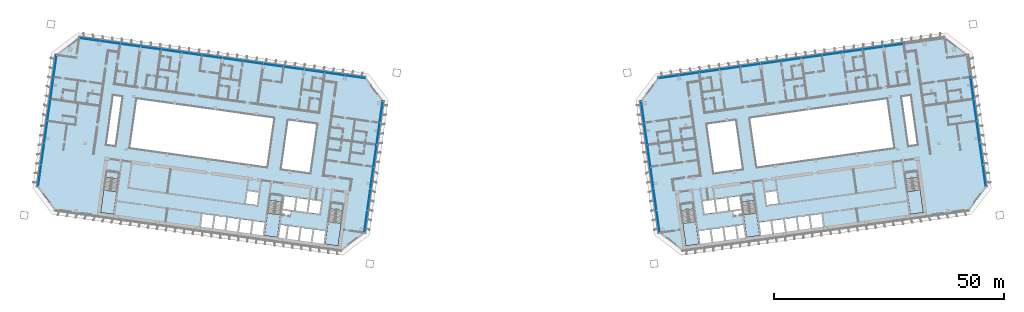
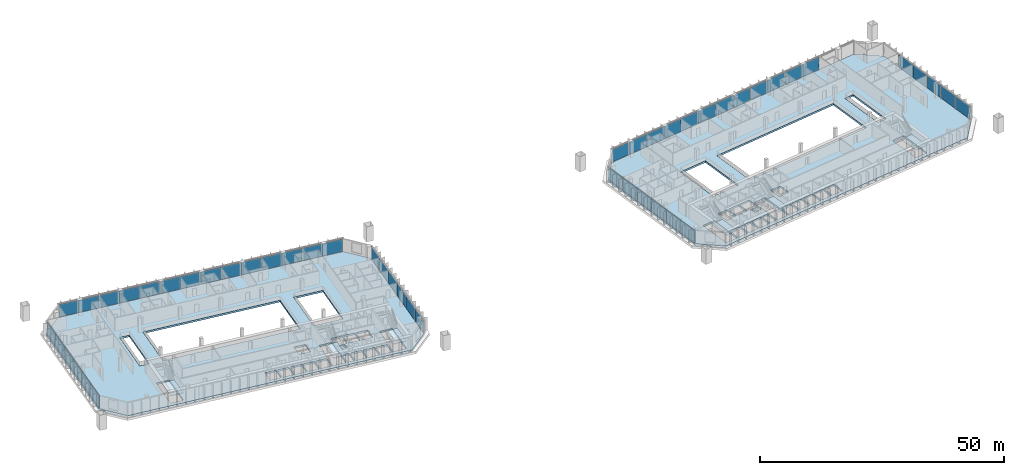
# One storey, part 12 of 27: 49 plates, 8 slabs, 12 elements without a shape of their own.
"""IFC4 building model written with IfcOpenShell, lengths in metres."""

from ifc_helpers import new_model, si_unit, direction, frame, origin, origin_2d, place, context, subcontext, project, spatial, polyline, rectangle, outline, extrude, material, layer, layer_set, type_object, element, aggregate, save


model = new_model("IFC4")

# Units and contexts
model_context = context("Model", 3, precision=1e-05, world=origin(), true_north=direction((0.0, 1.0)))
body_context = subcontext(model_context, "Body", "Model", "MODEL_VIEW")
ifc_project = project(units=[si_unit("LENGTHUNIT", "METRE"), si_unit("AREAUNIT", "SQUARE_METRE"), si_unit("VOLUMEUNIT", "CUBIC_METRE"), si_unit("PLANEANGLEUNIT", "RADIAN"), si_unit("MASSUNIT", "GRAM", prefix="KILO")], contexts=[model_context])

# Site, building, storey
site_placement = place(None, origin())
site = spatial("IfcSite", under=ifc_project, at=site_placement, CompositionType="ELEMENT")
building_placement = place(site_placement, origin())
building = spatial("IfcBuilding", under=site, at=building_placement, Name="Mirante Cascada Hotel Towers", CompositionType="ELEMENT")
storey_placement = place(building_placement, frame((0.0, 0.0, 117.7)))
storey = spatial("IfcBuildingStorey", under=building, at=storey_placement, Name="L26", CompositionType="ELEMENT", Elevation=117.7)

# Curtain wall, plates
ifc_material_1 = material(Name="Aluminium mullion and transom frame with clear laminated glass", Category="aluminium")
curtain_wall_type_1 = type_object("IfcCurtainWallType", Name="Ribbon curtain wall ECW1", PredefinedType="NOTDEFINED", material=ifc_material_1)
curtain_wall_1_placement = place(storey_placement, origin())
curtain_wall_1 = element("IfcCurtainWall", 1, at=curtain_wall_1_placement, inside=storey, type_object=curtain_wall_type_1, Name="Front ribbon wall T1 L26", PredefinedType="NOTDEFINED")
ifc_material_2 = material(Name="Clear laminated glass", Category="glass")
ifc_layer_1 = layer(ifc_material_2, 0.036)
ifc_layer_set_1 = layer_set([ifc_layer_1], Name="ECW1 glass panel 36")
plate_type_1 = type_object("IfcPlateType", Name="ECW1 glass panel 36", PredefinedType="CURTAIN_PANEL", material=ifc_layer_set_1)
plate_1_placement = place(storey_placement, frame((-91.9184, 25.7373, 0.1), z_axis=(0.0, 0.0, 1.0), x_axis=(0.9902681, -0.1391731, 0.0)))
plate_1 = element("IfcPlate", 2, at=plate_1_placement, type_object=plate_type_1, Name="ECW1 panel 1", PredefinedType="CURTAIN_PANEL", context=body_context, shape_type="SweptSolid", body=[
    extrude(rectangle(XDim=4.3936, YDim=0.036, at=origin_2d()), origin(), (0.0, 0.0, 1.0), 3.15),
])
plate_2_placement = place(storey_placement, frame((-87.487, 25.1145, 0.1), z_axis=(0.0, 0.0, 1.0), x_axis=(0.9902681, -0.1391731, 0.0)))
plate_2 = element("IfcPlate", 3, at=plate_2_placement, type_object=plate_type_1, Name="ECW1 panel 2", PredefinedType="CURTAIN_PANEL", context=body_context, shape_type="SweptSolid", body=[
    extrude(rectangle(XDim=4.4261, YDim=0.036, at=origin_2d()), origin(), (0.0, 0.0, 1.0), 3.15),
])
plate_3_placement = place(storey_placement, frame((-83.0396, 24.4895, 0.1), z_axis=(0.0, 0.0, 1.0), x_axis=(0.9902681, -0.1391731, 0.0)))
plate_3 = element("IfcPlate", 4, at=plate_3_placement, type_object=plate_type_1, Name="ECW1 panel 3", PredefinedType="CURTAIN_PANEL", context=body_context, shape_type="SweptSolid", body=[
    extrude(rectangle(XDim=4.4261, YDim=0.036, at=origin_2d()), origin(), (0.0, 0.0, 1.0), 3.15),
])
plate_4_placement = place(storey_placement, frame((-78.5922, 23.8644, 0.1), z_axis=(0.0, 0.0, 1.0), x_axis=(0.9902681, -0.1391731, 0.0)))
plate_4 = element("IfcPlate", 5, at=plate_4_placement, type_object=plate_type_1, Name="ECW1 panel 4", PredefinedType="CURTAIN_PANEL", context=body_context, shape_type="SweptSolid", body=[
    extrude(rectangle(XDim=4.4261, YDim=0.036, at=origin_2d()), origin(), (0.0, 0.0, 1.0), 3.15),
])
plate_5_placement = place(storey_placement, frame((-74.1448, 23.2394, 0.1), z_axis=(0.0, 0.0, 1.0), x_axis=(0.9902681, -0.1391731, 0.0)))
plate_5 = element("IfcPlate", 6, at=plate_5_placement, type_object=plate_type_1, Name="ECW1 panel 5", PredefinedType="CURTAIN_PANEL", context=body_context, shape_type="SweptSolid", body=[
    extrude(rectangle(XDim=4.4261, YDim=0.036, at=origin_2d()), origin(), (0.0, 0.0, 1.0), 3.15),
])
plate_6_placement = place(storey_placement, frame((-69.6974, 22.6144, 0.1), z_axis=(0.0, 0.0, 1.0), x_axis=(0.9902681, -0.1391731, 0.0)))
plate_6 = element("IfcPlate", 7, at=plate_6_placement, type_object=plate_type_1, Name="ECW1 panel 6", PredefinedType="CURTAIN_PANEL", context=body_context, shape_type="SweptSolid", body=[
    extrude(rectangle(XDim=4.4261, YDim=0.036, at=origin_2d()), origin(), (0.0, 0.0, 1.0), 3.15),
])
plate_7_placement = place(storey_placement, frame((-65.2499, 21.9893, 0.1), z_axis=(0.0, 0.0, 1.0), x_axis=(0.9902681, -0.1391731, 0.0)))
plate_7 = element("IfcPlate", 8, at=plate_7_placement, type_object=plate_type_1, Name="ECW1 panel 7", PredefinedType="CURTAIN_PANEL", context=body_context, shape_type="SweptSolid", body=[
    extrude(rectangle(XDim=4.4261, YDim=0.036, at=origin_2d()), origin(), (0.0, 0.0, 1.0), 3.15),
])
plate_8_placement = place(storey_placement, frame((-60.8025, 21.3643, 0.1), z_axis=(0.0, 0.0, 1.0), x_axis=(0.9902681, -0.1391731, 0.0)))
plate_8 = element("IfcPlate", 9, at=plate_8_placement, type_object=plate_type_1, Name="ECW1 panel 8", PredefinedType="CURTAIN_PANEL", context=body_context, shape_type="SweptSolid", body=[
    extrude(rectangle(XDim=4.4261, YDim=0.036, at=origin_2d()), origin(), (0.0, 0.0, 1.0), 3.15),
])
plate_9_placement = place(storey_placement, frame((-56.3551, 20.7392, 0.1), z_axis=(0.0, 0.0, 1.0), x_axis=(0.9902681, -0.1391731, 0.0)))
plate_9 = element("IfcPlate", 10, at=plate_9_placement, type_object=plate_type_1, Name="ECW1 panel 9", PredefinedType="CURTAIN_PANEL", context=body_context, shape_type="SweptSolid", body=[
    extrude(rectangle(XDim=4.4261, YDim=0.036, at=origin_2d()), origin(), (0.0, 0.0, 1.0), 3.15),
])
plate_10_placement = place(storey_placement, frame((-51.9077, 20.1142, 0.1), z_axis=(0.0, 0.0, 1.0), x_axis=(0.9902681, -0.1391731, 0.0)))
plate_10 = element("IfcPlate", 11, at=plate_10_placement, type_object=plate_type_1, Name="ECW1 panel 10", PredefinedType="CURTAIN_PANEL", context=body_context, shape_type="SweptSolid", body=[
    extrude(rectangle(XDim=4.4261, YDim=0.036, at=origin_2d()), origin(), (0.0, 0.0, 1.0), 3.15),
])
plate_11_placement = place(storey_placement, frame((-47.4603, 19.4891, 0.1), z_axis=(0.0, 0.0, 1.0), x_axis=(0.9902681, -0.1391731, 0.0)))
plate_11 = element("IfcPlate", 12, at=plate_11_placement, type_object=plate_type_1, Name="ECW1 panel 11", PredefinedType="CURTAIN_PANEL", context=body_context, shape_type="SweptSolid", body=[
    extrude(rectangle(XDim=4.4261, YDim=0.036, at=origin_2d()), origin(), (0.0, 0.0, 1.0), 3.15),
])
plate_12_placement = place(storey_placement, frame((-43.0129, 18.8641, 0.1), z_axis=(0.0, 0.0, 1.0), x_axis=(0.9902681, -0.1391731, 0.0)))
plate_12 = element("IfcPlate", 13, at=plate_12_placement, type_object=plate_type_1, Name="ECW1 panel 12", PredefinedType="CURTAIN_PANEL", context=body_context, shape_type="SweptSolid", body=[
    extrude(rectangle(XDim=4.4261, YDim=0.036, at=origin_2d()), origin(), (0.0, 0.0, 1.0), 3.15),
])
plate_13_placement = place(storey_placement, frame((-38.5654, 18.239, 0.1), z_axis=(0.0, 0.0, 1.0), x_axis=(0.9902681, -0.1391731, 0.0)))
plate_13 = element("IfcPlate", 14, at=plate_13_placement, type_object=plate_type_1, Name="ECW1 panel 13", PredefinedType="CURTAIN_PANEL", context=body_context, shape_type="SweptSolid", body=[
    extrude(rectangle(XDim=4.4261, YDim=0.036, at=origin_2d()), origin(), (0.0, 0.0, 1.0), 3.15),
])
plate_14_placement = place(storey_placement, frame((-34.1341, 17.6163, 0.1), z_axis=(0.0, 0.0, 1.0), x_axis=(0.9902681, -0.1391731, 0.0)))
plate_14 = element("IfcPlate", 15, at=plate_14_placement, type_object=plate_type_1, Name="ECW1 panel 14", PredefinedType="CURTAIN_PANEL", context=body_context, shape_type="SweptSolid", body=[
    extrude(rectangle(XDim=4.3936, YDim=0.036, at=origin_2d()), origin(), (0.0, 0.0, 1.0), 3.15),
])
aggregate(curtain_wall_1, [plate_1, plate_2, plate_3, plate_4, plate_5, plate_6, plate_7, plate_8, plate_9, plate_10, plate_11, plate_12, plate_13, plate_14])

curtain_wall_2_placement = place(storey_placement, origin())
curtain_wall_2 = element("IfcCurtainWall", 16, at=curtain_wall_2_placement, inside=storey, type_object=curtain_wall_type_1, Name="Front ribbon wall T2 L26", PredefinedType="NOTDEFINED")
plate_15_placement = place(storey_placement, frame((83.0396, 24.4895, 0.1), z_axis=(0.0, 0.0, 1.0), x_axis=(-0.9902681, -0.1391731, 0.0)))
plate_15 = element("IfcPlate", 17, at=plate_15_placement, type_object=plate_type_1, Name="ECW1 panel 3", PredefinedType="CURTAIN_PANEL", context=body_context, shape_type="SweptSolid", body=[
    extrude(rectangle(XDim=4.4261, YDim=0.036, at=origin_2d()), origin(), (0.0, 0.0, 1.0), 3.15),
])
plate_16_placement = place(storey_placement, frame((78.5922, 23.8644, 0.1), z_axis=(0.0, 0.0, 1.0), x_axis=(-0.9902681, -0.1391731, 0.0)))
plate_16 = element("IfcPlate", 18, at=plate_16_placement, type_object=plate_type_1, Name="ECW1 panel 4", PredefinedType="CURTAIN_PANEL", context=body_context, shape_type="SweptSolid", body=[
    extrude(rectangle(XDim=4.4261, YDim=0.036, at=origin_2d()), origin(), (0.0, 0.0, 1.0), 3.15),
])
plate_17_placement = place(storey_placement, frame((74.1448, 23.2394, 0.1), z_axis=(0.0, 0.0, 1.0), x_axis=(-0.9902681, -0.1391731, 0.0)))
plate_17 = element("IfcPlate", 19, at=plate_17_placement, type_object=plate_type_1, Name="ECW1 panel 5", PredefinedType="CURTAIN_PANEL", context=body_context, shape_type="SweptSolid", body=[
    extrude(rectangle(XDim=4.4261, YDim=0.036, at=origin_2d()), origin(), (0.0, 0.0, 1.0), 3.15),
])
plate_18_placement = place(storey_placement, frame((69.6974, 22.6144, 0.1), z_axis=(0.0, 0.0, 1.0), x_axis=(-0.9902681, -0.1391731, 0.0)))
plate_18 = element("IfcPlate", 20, at=plate_18_placement, type_object=plate_type_1, Name="ECW1 panel 6", PredefinedType="CURTAIN_PANEL", context=body_context, shape_type="SweptSolid", body=[
    extrude(rectangle(XDim=4.4261, YDim=0.036, at=origin_2d()), origin(), (0.0, 0.0, 1.0), 3.15),
])
plate_19_placement = place(storey_placement, frame((65.2499, 21.9893, 0.1), z_axis=(0.0, 0.0, 1.0), x_axis=(-0.9902681, -0.1391731, 0.0)))
plate_19 = element("IfcPlate", 21, at=plate_19_placement, type_object=plate_type_1, Name="ECW1 panel 7", PredefinedType="CURTAIN_PANEL", context=body_context, shape_type="SweptSolid", body=[
    extrude(rectangle(XDim=4.4261, YDim=0.036, at=origin_2d()), origin(), (0.0, 0.0, 1.0), 3.15),
])
plate_20_placement = place(storey_placement, frame((60.8025, 21.3643, 0.1), z_axis=(0.0, 0.0, 1.0), x_axis=(-0.9902681, -0.1391731, 0.0)))
plate_20 = element("IfcPlate", 22, at=plate_20_placement, type_object=plate_type_1, Name="ECW1 panel 8", PredefinedType="CURTAIN_PANEL", context=body_context, shape_type="SweptSolid", body=[
    extrude(rectangle(XDim=4.4261, YDim=0.036, at=origin_2d()), origin(), (0.0, 0.0, 1.0), 3.15),
])
plate_21_placement = place(storey_placement, frame((56.3551, 20.7392, 0.1), z_axis=(0.0, 0.0, 1.0), x_axis=(-0.9902681, -0.1391731, 0.0)))
plate_21 = element("IfcPlate", 23, at=plate_21_placement, type_object=plate_type_1, Name="ECW1 panel 9", PredefinedType="CURTAIN_PANEL", context=body_context, shape_type="SweptSolid", body=[
    extrude(rectangle(XDim=4.4261, YDim=0.036, at=origin_2d()), origin(), (0.0, 0.0, 1.0), 3.15),
])
plate_22_placement = place(storey_placement, frame((51.9077, 20.1142, 0.1), z_axis=(0.0, 0.0, 1.0), x_axis=(-0.9902681, -0.1391731, 0.0)))
plate_22 = element("IfcPlate", 24, at=plate_22_placement, type_object=plate_type_1, Name="ECW1 panel 10", PredefinedType="CURTAIN_PANEL", context=body_context, shape_type="SweptSolid", body=[
    extrude(rectangle(XDim=4.4261, YDim=0.036, at=origin_2d()), origin(), (0.0, 0.0, 1.0), 3.15),
])
plate_23_placement = place(storey_placement, frame((47.4603, 19.4891, 0.1), z_axis=(0.0, 0.0, 1.0), x_axis=(-0.9902681, -0.1391731, 0.0)))
plate_23 = element("IfcPlate", 25, at=plate_23_placement, type_object=plate_type_1, Name="ECW1 panel 11", PredefinedType="CURTAIN_PANEL", context=body_context, shape_type="SweptSolid", body=[
    extrude(rectangle(XDim=4.4261, YDim=0.036, at=origin_2d()), origin(), (0.0, 0.0, 1.0), 3.15),
])
plate_24_placement = place(storey_placement, frame((43.0129, 18.8641, 0.1), z_axis=(0.0, 0.0, 1.0), x_axis=(-0.9902681, -0.1391731, 0.0)))
plate_24 = element("IfcPlate", 26, at=plate_24_placement, type_object=plate_type_1, Name="ECW1 panel 12", PredefinedType="CURTAIN_PANEL", context=body_context, shape_type="SweptSolid", body=[
    extrude(rectangle(XDim=4.4261, YDim=0.036, at=origin_2d()), origin(), (0.0, 0.0, 1.0), 3.15),
])
plate_25_placement = place(storey_placement, frame((38.5654, 18.239, 0.1), z_axis=(0.0, 0.0, 1.0), x_axis=(-0.9902681, -0.1391731, 0.0)))
plate_25 = element("IfcPlate", 27, at=plate_25_placement, type_object=plate_type_1, Name="ECW1 panel 13", PredefinedType="CURTAIN_PANEL", context=body_context, shape_type="SweptSolid", body=[
    extrude(rectangle(XDim=4.4261, YDim=0.036, at=origin_2d()), origin(), (0.0, 0.0, 1.0), 3.15),
])
plate_26_placement = place(storey_placement, frame((34.1341, 17.6163, 0.1), z_axis=(0.0, 0.0, 1.0), x_axis=(-0.9902681, -0.1391731, 0.0)))
plate_26 = element("IfcPlate", 28, at=plate_26_placement, type_object=plate_type_1, Name="ECW1 panel 14", PredefinedType="CURTAIN_PANEL", context=body_context, shape_type="SweptSolid", body=[
    extrude(rectangle(XDim=4.3936, YDim=0.036, at=origin_2d()), origin(), (0.0, 0.0, 1.0), 3.15),
])
aggregate(curtain_wall_2, [plate_15, plate_16, plate_17, plate_18, plate_19, plate_20, plate_21, plate_22, plate_23, plate_24, plate_25, plate_26])

ifc_material_3 = material(Name="Aluminium mullion and transom frame with clear laminated glass", Category="aluminium")
curtain_wall_type_2 = type_object("IfcCurtainWallType", Name="End ribbon curtain wall ECW2", PredefinedType="NOTDEFINED", material=ifc_material_3)
curtain_wall_3_placement = place(storey_placement, origin())
curtain_wall_3 = element("IfcCurtainWall", 29, at=curtain_wall_3_placement, inside=storey, type_object=curtain_wall_type_2, Name="Inner end wall T1 L26", PredefinedType="NOTDEFINED")
ifc_material_4 = material(Name="Clear laminated glass", Category="glass")
ifc_layer_2 = layer(ifc_material_4, 0.034)
ifc_layer_set_2 = layer_set([ifc_layer_2], Name="ECW2 glass panel 34")
plate_type_2 = type_object("IfcPlateType", Name="ECW2 glass panel 34", PredefinedType="CURTAIN_PANEL", material=ifc_layer_set_2)
plate_27_placement = place(storey_placement, frame((-28.4763, 9.9193, 0.1), z_axis=(0.0, 0.0, 1.0), x_axis=(-0.1391731, -0.9902681, 0.0)))
plate_27 = element("IfcPlate", 30, at=plate_27_placement, type_object=plate_type_2, Name="ECW2 panel 1", PredefinedType="CURTAIN_PANEL", context=body_context, shape_type="SweptSolid", body=[
    extrude(rectangle(XDim=4.7151, YDim=0.034, at=origin_2d()), origin(), (0.0, 0.0, 1.0), 3.15),
])
plate_28_placement = place(storey_placement, frame((-29.1439, 5.1696, 0.1), z_axis=(0.0, 0.0, 1.0), x_axis=(-0.1391731, -0.9902681, 0.0)))
plate_28 = element("IfcPlate", 31, at=plate_28_placement, type_object=plate_type_2, Name="ECW2 panel 2", PredefinedType="CURTAIN_PANEL", context=body_context, shape_type="SweptSolid", body=[
    extrude(rectangle(XDim=4.7476, YDim=0.034, at=origin_2d()), origin(), (0.0, 0.0, 1.0), 3.15),
])
plate_29_placement = place(storey_placement, frame((-29.8136, 0.4038, 0.1), z_axis=(0.0, 0.0, 1.0), x_axis=(-0.1391731, -0.9902681, 0.0)))
plate_29 = element("IfcPlate", 32, at=plate_29_placement, type_object=plate_type_2, Name="ECW2 panel 3", PredefinedType="CURTAIN_PANEL", context=body_context, shape_type="SweptSolid", body=[
    extrude(rectangle(XDim=4.7476, YDim=0.034, at=origin_2d()), origin(), (0.0, 0.0, 1.0), 3.15),
])
plate_30_placement = place(storey_placement, frame((-30.4834, -4.362, 0.1), z_axis=(0.0, 0.0, 1.0), x_axis=(-0.1391731, -0.9902681, 0.0)))
plate_30 = element("IfcPlate", 33, at=plate_30_placement, type_object=plate_type_2, Name="ECW2 panel 4", PredefinedType="CURTAIN_PANEL", context=body_context, shape_type="SweptSolid", body=[
    extrude(rectangle(XDim=4.7476, YDim=0.034, at=origin_2d()), origin(), (0.0, 0.0, 1.0), 3.15),
])
plate_31_placement = place(storey_placement, frame((-31.1532, -9.1278, 0.1), z_axis=(0.0, 0.0, 1.0), x_axis=(-0.1391731, -0.9902681, 0.0)))
plate_31 = element("IfcPlate", 34, at=plate_31_placement, type_object=plate_type_2, Name="ECW2 panel 5", PredefinedType="CURTAIN_PANEL", context=body_context, shape_type="SweptSolid", body=[
    extrude(rectangle(XDim=4.7476, YDim=0.034, at=origin_2d()), origin(), (0.0, 0.0, 1.0), 3.15),
])
plate_32_placement = place(storey_placement, frame((-31.8207, -13.8775, 0.1), z_axis=(0.0, 0.0, 1.0), x_axis=(-0.1391731, -0.9902681, 0.0)))
plate_32 = element("IfcPlate", 35, at=plate_32_placement, type_object=plate_type_2, Name="ECW2 panel 6", PredefinedType="CURTAIN_PANEL", context=body_context, shape_type="SweptSolid", body=[
    extrude(rectangle(XDim=4.7151, YDim=0.034, at=origin_2d()), origin(), (0.0, 0.0, 1.0), 3.15),
])
aggregate(curtain_wall_3, [plate_27, plate_28, plate_29, plate_30, plate_31, plate_32])

curtain_wall_4_placement = place(storey_placement, origin())
curtain_wall_4 = element("IfcCurtainWall", 36, at=curtain_wall_4_placement, inside=storey, type_object=curtain_wall_type_2, Name="Outer end wall T1 L26", PredefinedType="NOTDEFINED")
plate_33_placement = place(storey_placement, frame((-102.1554, 0.8509, 0.1), z_axis=(0.0, 0.0, 1.0), x_axis=(0.1391731, 0.9902681, 0.0)))
plate_33 = element("IfcPlate", 37, at=plate_33_placement, type_object=plate_type_2, Name="ECW2 panel 2", PredefinedType="CURTAIN_PANEL", context=body_context, shape_type="SweptSolid", body=[
    extrude(rectangle(XDim=4.7476, YDim=0.034, at=origin_2d()), origin(), (0.0, 0.0, 1.0), 3.15),
])
plate_34_placement = place(storey_placement, frame((-101.4857, 5.6167, 0.1), z_axis=(0.0, 0.0, 1.0), x_axis=(0.1391731, 0.9902681, 0.0)))
plate_34 = element("IfcPlate", 38, at=plate_34_placement, type_object=plate_type_2, Name="ECW2 panel 3", PredefinedType="CURTAIN_PANEL", context=body_context, shape_type="SweptSolid", body=[
    extrude(rectangle(XDim=4.7476, YDim=0.034, at=origin_2d()), origin(), (0.0, 0.0, 1.0), 3.15),
])
plate_35_placement = place(storey_placement, frame((-100.8159, 10.3825, 0.1), z_axis=(0.0, 0.0, 1.0), x_axis=(0.1391731, 0.9902681, 0.0)))
plate_35 = element("IfcPlate", 39, at=plate_35_placement, type_object=plate_type_2, Name="ECW2 panel 4", PredefinedType="CURTAIN_PANEL", context=body_context, shape_type="SweptSolid", body=[
    extrude(rectangle(XDim=4.7476, YDim=0.034, at=origin_2d()), origin(), (0.0, 0.0, 1.0), 3.15),
])
plate_36_placement = place(storey_placement, frame((-100.1461, 15.1483, 0.1), z_axis=(0.0, 0.0, 1.0), x_axis=(0.1391731, 0.9902681, 0.0)))
plate_36 = element("IfcPlate", 40, at=plate_36_placement, type_object=plate_type_2, Name="ECW2 panel 5", PredefinedType="CURTAIN_PANEL", context=body_context, shape_type="SweptSolid", body=[
    extrude(rectangle(XDim=4.7476, YDim=0.034, at=origin_2d()), origin(), (0.0, 0.0, 1.0), 3.15),
])

curtain_wall_5_placement = place(storey_placement, origin())
curtain_wall_5 = element("IfcCurtainWall", 41, at=curtain_wall_5_placement, inside=storey, type_object=curtain_wall_type_2, Name="Inner end wall T2 L26", PredefinedType="NOTDEFINED")
plate_37_placement = place(storey_placement, frame((28.4763, 9.9193, 0.1), z_axis=(0.0, 0.0, 1.0), x_axis=(0.1391731, -0.9902681, 0.0)))
plate_37 = element("IfcPlate", 42, at=plate_37_placement, type_object=plate_type_2, Name="ECW2 panel 1", PredefinedType="CURTAIN_PANEL", context=body_context, shape_type="SweptSolid", body=[
    extrude(rectangle(XDim=4.7151, YDim=0.034, at=origin_2d()), origin(), (0.0, 0.0, 1.0), 3.15),
])
plate_38_placement = place(storey_placement, frame((29.1439, 5.1696, 0.1), z_axis=(0.0, 0.0, 1.0), x_axis=(0.1391731, -0.9902681, 0.0)))
plate_38 = element("IfcPlate", 43, at=plate_38_placement, type_object=plate_type_2, Name="ECW2 panel 2", PredefinedType="CURTAIN_PANEL", context=body_context, shape_type="SweptSolid", body=[
    extrude(rectangle(XDim=4.7476, YDim=0.034, at=origin_2d()), origin(), (0.0, 0.0, 1.0), 3.15),
])
plate_39_placement = place(storey_placement, frame((29.8136, 0.4038, 0.1), z_axis=(0.0, 0.0, 1.0), x_axis=(0.1391731, -0.9902681, 0.0)))
plate_39 = element("IfcPlate", 44, at=plate_39_placement, type_object=plate_type_2, Name="ECW2 panel 3", PredefinedType="CURTAIN_PANEL", context=body_context, shape_type="SweptSolid", body=[
    extrude(rectangle(XDim=4.7476, YDim=0.034, at=origin_2d()), origin(), (0.0, 0.0, 1.0), 3.15),
])
plate_40_placement = place(storey_placement, frame((30.4834, -4.362, 0.1), z_axis=(0.0, 0.0, 1.0), x_axis=(0.1391731, -0.9902681, 0.0)))
plate_40 = element("IfcPlate", 45, at=plate_40_placement, type_object=plate_type_2, Name="ECW2 panel 4", PredefinedType="CURTAIN_PANEL", context=body_context, shape_type="SweptSolid", body=[
    extrude(rectangle(XDim=4.7476, YDim=0.034, at=origin_2d()), origin(), (0.0, 0.0, 1.0), 3.15),
])
plate_41_placement = place(storey_placement, frame((31.1532, -9.1278, 0.1), z_axis=(0.0, 0.0, 1.0), x_axis=(0.1391731, -0.9902681, 0.0)))
plate_41 = element("IfcPlate", 46, at=plate_41_placement, type_object=plate_type_2, Name="ECW2 panel 5", PredefinedType="CURTAIN_PANEL", context=body_context, shape_type="SweptSolid", body=[
    extrude(rectangle(XDim=4.7476, YDim=0.034, at=origin_2d()), origin(), (0.0, 0.0, 1.0), 3.15),
])
plate_42_placement = place(storey_placement, frame((31.8207, -13.8775, 0.1), z_axis=(0.0, 0.0, 1.0), x_axis=(0.1391731, -0.9902681, 0.0)))
plate_42 = element("IfcPlate", 47, at=plate_42_placement, type_object=plate_type_2, Name="ECW2 panel 6", PredefinedType="CURTAIN_PANEL", context=body_context, shape_type="SweptSolid", body=[
    extrude(rectangle(XDim=4.7151, YDim=0.034, at=origin_2d()), origin(), (0.0, 0.0, 1.0), 3.15),
])
aggregate(curtain_wall_5, [plate_37, plate_38, plate_39, plate_40, plate_41, plate_42])

curtain_wall_6_placement = place(storey_placement, origin())
curtain_wall_6 = element("IfcCurtainWall", 48, at=curtain_wall_6_placement, inside=storey, type_object=curtain_wall_type_2, Name="Outer end wall T2 L26", PredefinedType="NOTDEFINED")
plate_43_placement = place(storey_placement, frame((102.1554, 0.8509, 0.1), z_axis=(0.0, 0.0, 1.0), x_axis=(-0.1391731, 0.9902681, 0.0)))
plate_43 = element("IfcPlate", 49, at=plate_43_placement, type_object=plate_type_2, Name="ECW2 panel 2", PredefinedType="CURTAIN_PANEL", context=body_context, shape_type="SweptSolid", body=[
    extrude(rectangle(XDim=4.7476, YDim=0.034, at=origin_2d()), origin(), (0.0, 0.0, 1.0), 3.15),
])
plate_44_placement = place(storey_placement, frame((101.4857, 5.6167, 0.1), z_axis=(0.0, 0.0, 1.0), x_axis=(-0.1391731, 0.9902681, 0.0)))
plate_44 = element("IfcPlate", 50, at=plate_44_placement, type_object=plate_type_2, Name="ECW2 panel 3", PredefinedType="CURTAIN_PANEL", context=body_context, shape_type="SweptSolid", body=[
    extrude(rectangle(XDim=4.7476, YDim=0.034, at=origin_2d()), origin(), (0.0, 0.0, 1.0), 3.15),
])
plate_45_placement = place(storey_placement, frame((100.8159, 10.3825, 0.1), z_axis=(0.0, 0.0, 1.0), x_axis=(-0.1391731, 0.9902681, 0.0)))
plate_45 = element("IfcPlate", 51, at=plate_45_placement, type_object=plate_type_2, Name="ECW2 panel 4", PredefinedType="CURTAIN_PANEL", context=body_context, shape_type="SweptSolid", body=[
    extrude(rectangle(XDim=4.7476, YDim=0.034, at=origin_2d()), origin(), (0.0, 0.0, 1.0), 3.15),
])
plate_46_placement = place(storey_placement, frame((100.1461, 15.1483, 0.1), z_axis=(0.0, 0.0, 1.0), x_axis=(-0.1391731, 0.9902681, 0.0)))
plate_46 = element("IfcPlate", 52, at=plate_46_placement, type_object=plate_type_2, Name="ECW2 panel 5", PredefinedType="CURTAIN_PANEL", context=body_context, shape_type="SweptSolid", body=[
    extrude(rectangle(XDim=4.7476, YDim=0.034, at=origin_2d()), origin(), (0.0, 0.0, 1.0), 3.15),
])

# Plate
ifc_material_5 = material(Name="Insulated aluminium spandrel panel", Category="aluminium")
ifc_layer_3 = layer(ifc_material_5, 0.034)
ifc_layer_set_3 = layer_set([ifc_layer_3], Name="ECW2 spandrel panel 34")
plate_type_3 = type_object("IfcPlateType", Name="ECW2 spandrel panel 34", PredefinedType="CURTAIN_PANEL", material=ifc_layer_set_3)
plate_47_placement = place(storey_placement, frame((-102.823, -3.8988, 0.1), z_axis=(0.0, 0.0, 1.0), x_axis=(0.1391731, 0.9902681, 0.0)))
plate_47 = element("IfcPlate", 53, at=plate_47_placement, type_object=plate_type_3, Name="ECW2 panel 1", PredefinedType="CURTAIN_PANEL", context=body_context, shape_type="SweptSolid", body=[
    extrude(rectangle(XDim=4.7151, YDim=0.034, at=origin_2d()), origin(), (0.0, 0.0, 1.0), 3.15),
])

plate_48_placement = place(storey_placement, frame((-99.4786, 19.898, 0.1), z_axis=(0.0, 0.0, 1.0), x_axis=(0.1391731, 0.9902681, 0.0)))
plate_48 = element("IfcPlate", 54, at=plate_48_placement, type_object=plate_type_3, Name="ECW2 panel 6", PredefinedType="CURTAIN_PANEL", context=body_context, shape_type="SweptSolid", body=[
    extrude(rectangle(XDim=4.7151, YDim=0.034, at=origin_2d()), origin(), (0.0, 0.0, 1.0), 3.15),
])

aggregate(curtain_wall_4, [plate_47, plate_33, plate_34, plate_35, plate_36, plate_48])

plate_49_placement = place(storey_placement, frame((102.823, -3.8988, 0.1), z_axis=(0.0, 0.0, 1.0), x_axis=(-0.1391731, 0.9902681, 0.0)))
plate_49 = element("IfcPlate", 55, at=plate_49_placement, type_object=plate_type_3, Name="ECW2 panel 1", PredefinedType="CURTAIN_PANEL", context=body_context, shape_type="SweptSolid", body=[
    extrude(rectangle(XDim=4.7151, YDim=0.034, at=origin_2d()), origin(), (0.0, 0.0, 1.0), 3.15),
])

aggregate(curtain_wall_6, [plate_49, plate_43, plate_44, plate_45, plate_46])

# Stair, slab
ifc_material_6 = material(Name="Concrete C35/45", Category="concrete")
stair_type = type_object("IfcStairType", Name="Exit stair half-turn 1350 concrete C35/45", PredefinedType="HALF_TURN_STAIR", material=ifc_material_6)
stair_1_placement = place(storey_placement, origin())
stair_1 = element("IfcStair", 56, at=stair_1_placement, inside=storey, type_object=stair_type, Name="L26 Exit stair A", PredefinedType="HALF_TURN_STAIR")
ifc_material_7 = material(Name="Concrete C35/45", Category="concrete")
ifc_layer_4 = layer(ifc_material_7, 0.2)
ifc_layer_set_4 = layer_set([ifc_layer_4], Name="Exit stair landing 200 concrete C35/45")
slab_type_1 = type_object("IfcSlabType", Name="Exit stair landing 200 concrete C35/45", PredefinedType="LANDING", material=ifc_layer_set_4)
slab_1_placement = place(storey_placement, frame((0.0, 0.0, 1.7)))
slab_1 = element("IfcSlab", 57, at=slab_1_placement, type_object=slab_type_1, Name="ST1-A landing 1", PredefinedType="LANDING", context=body_context, shape_type="SweptSolid", body=[
    extrude(outline(polyline([(-39.9987, -13.8659), (-40.6887, -18.7757), (-37.8665, -19.1723), (-37.1765, -14.2626), (-39.9987, -13.8659)])), origin(), (0.0, 0.0, 1.0), 0.2),
])
aggregate(stair_1, [slab_1])

stair_2_placement = place(storey_placement, origin())
stair_2 = element("IfcStair", 58, at=stair_2_placement, inside=storey, type_object=stair_type, Name="L26 Exit stair B", PredefinedType="HALF_TURN_STAIR")
slab_2_placement = place(storey_placement, frame((0.0, 0.0, 1.7)))
slab_2 = element("IfcSlab", 59, at=slab_2_placement, type_object=slab_type_1, Name="ST1-B landing 1", PredefinedType="LANDING", context=body_context, shape_type="SweptSolid", body=[
    extrude(outline(polyline([(-53.2188, -12.008), (-53.9088, -16.9177), (-51.0866, -17.3144), (-50.3965, -12.4046), (-53.2188, -12.008)])), origin(), (0.0, 0.0, 1.0), 0.2),
])
aggregate(stair_2, [slab_2])

stair_3_placement = place(storey_placement, origin())
stair_3 = element("IfcStair", 60, at=stair_3_placement, inside=storey, type_object=stair_type, Name="L26 Exit stair C", PredefinedType="HALF_TURN_STAIR")
slab_3_placement = place(storey_placement, frame((0.0, 0.0, 1.7)))
slab_3 = element("IfcSlab", 61, at=slab_3_placement, type_object=slab_type_1, Name="ST1-C landing 1", PredefinedType="LANDING", context=body_context, shape_type="SweptSolid", body=[
    extrude(outline(polyline([(-88.8685, -6.9977), (-89.5585, -11.9075), (-86.7362, -12.3041), (-86.0462, -7.3944), (-88.8685, -6.9977)])), origin(), (0.0, 0.0, 1.0), 0.2),
])
aggregate(stair_3, [slab_3])

stair_4_placement = place(storey_placement, origin())
stair_4 = element("IfcStair", 62, at=stair_4_placement, inside=storey, type_object=stair_type, Name="L26 Exit stair A", PredefinedType="HALF_TURN_STAIR")
slab_4_placement = place(storey_placement, frame((0.0, 0.0, 1.7)))
slab_4 = element("IfcSlab", 63, at=slab_4_placement, type_object=slab_type_1, Name="ST2-A landing 1", PredefinedType="LANDING", context=body_context, shape_type="SweptSolid", body=[
    extrude(outline(polyline([(37.1765, -14.2626), (37.8665, -19.1723), (40.6887, -18.7757), (39.9987, -13.8659), (37.1765, -14.2626)])), origin(), (0.0, 0.0, 1.0), 0.2),
])
aggregate(stair_4, [slab_4])

stair_5_placement = place(storey_placement, origin())
stair_5 = element("IfcStair", 64, at=stair_5_placement, inside=storey, type_object=stair_type, Name="L26 Exit stair B", PredefinedType="HALF_TURN_STAIR")
slab_5_placement = place(storey_placement, frame((0.0, 0.0, 1.7)))
slab_5 = element("IfcSlab", 65, at=slab_5_placement, type_object=slab_type_1, Name="ST2-B landing 1", PredefinedType="LANDING", context=body_context, shape_type="SweptSolid", body=[
    extrude(outline(polyline([(50.3965, -12.4046), (51.0866, -17.3144), (53.9088, -16.9177), (53.2188, -12.008), (50.3965, -12.4046)])), origin(), (0.0, 0.0, 1.0), 0.2),
])
aggregate(stair_5, [slab_5])

stair_6_placement = place(storey_placement, origin())
stair_6 = element("IfcStair", 66, at=stair_6_placement, inside=storey, type_object=stair_type, Name="L26 Exit stair C", PredefinedType="HALF_TURN_STAIR")
slab_6_placement = place(storey_placement, frame((0.0, 0.0, 1.7)))
slab_6 = element("IfcSlab", 67, at=slab_6_placement, type_object=slab_type_1, Name="ST2-C landing 1", PredefinedType="LANDING", context=body_context, shape_type="SweptSolid", body=[
    extrude(outline(polyline([(86.0462, -7.3944), (86.7362, -12.3041), (89.5585, -11.9075), (88.8685, -6.9977), (86.0462, -7.3944)])), origin(), (0.0, 0.0, 1.0), 0.2),
])
aggregate(stair_6, [slab_6])

# Slabs
ifc_material_8 = material(Name="Concrete C40/50", Category="concrete")
ifc_layer_5 = layer(ifc_material_8, 0.45)
ifc_layer_set_5 = layer_set([ifc_layer_5], Name="Post-tensioned flat plate 450 Concrete C40/50")
slab_type_2 = type_object("IfcSlabType", Name="Post-tensioned flat plate 450 Concrete C40/50", PredefinedType="FLOOR", material=ifc_layer_set_5)
slab_7_placement = place(storey_placement, frame((0.0, 0.0, -0.45)))
element("IfcSlab", 68, at=slab_7_placement, inside=storey, type_object=slab_type_2, Name="Floor T1 L26", PredefinedType="FLOOR", context=body_context, shape_type="SweptSolid", body=[
    extrude(outline(polyline([(-32.018, -16.3589), (-27.982, 12.3589), (-31.8119, 17.4414), (-94.1988, 26.2093), (-99.2813, 22.3794), (-103.3173, -6.3384), (-99.4874, -11.4209), (-37.1005, -20.1888), (-32.018, -16.3589)]), holes=[polyline([(-43.0718, -15.6132), (-40.5961, -15.9612), (-40.9858, -18.7339), (-43.4615, -18.386), (-43.0718, -15.6132)]), polyline([(-45.8446, -15.2236), (-43.3689, -15.5715), (-43.7586, -18.3442), (-46.2342, -17.9963), (-45.8446, -15.2236)]), polyline([(-48.6173, -14.8339), (-46.1416, -15.1818), (-46.5313, -17.9546), (-49.007, -17.6066), (-48.6173, -14.8339)]), polyline([(-50.3998, -14.5834), (-48.9144, -14.7921), (-49.3041, -17.5649), (-50.7895, -17.3561), (-50.3998, -14.5834)]), polyline([(-36.7887, -11.5037), (-37.8665, -19.1723), (-40.6887, -18.7757), (-39.611, -11.107), (-36.7887, -11.5037)]), polyline([(-49.9544, -11.4145), (-48.1472, -11.6685), (-48.2829, -12.634), (-50.0901, -12.38), (-49.9544, -11.4145)]), polyline([(-43.9775, -9.124), (-41.5018, -9.472), (-41.8915, -12.2447), (-44.3672, -11.8968), (-43.9775, -9.124)]), polyline([(-47.1399, -11.5071), (-46.7503, -8.7344), (-44.2746, -9.0823), (-44.6643, -11.855), (-47.1399, -11.5071)]), polyline([(-49.9127, -11.1174), (-49.523, -8.3447), (-47.0473, -8.6926), (-47.437, -11.4654), (-49.9127, -11.1174)]), polyline([(-56.2919, -13.7553), (-53.8162, -14.1032), (-54.2059, -16.876), (-56.6816, -16.528), (-56.2919, -13.7553)]), polyline([(-59.0646, -13.3656), (-56.589, -13.7135), (-56.9787, -16.4863), (-59.4543, -16.1383), (-59.0646, -13.3656)]), polyline([(-61.8374, -12.9759), (-59.3617, -13.3238), (-59.7514, -16.0966), (-62.2271, -15.7487), (-61.8374, -12.9759)]), polyline([(-64.6101, -12.5862), (-62.1345, -12.9342), (-62.5242, -15.7069), (-64.9998, -15.359), (-64.6101, -12.5862)]), polyline([(-67.3829, -12.1965), (-64.9072, -12.5445), (-65.2969, -15.3172), (-67.7726, -14.9693), (-67.3829, -12.1965)]), polyline([(-50.0088, -9.6457), (-51.0866, -17.3144), (-53.9088, -16.9177), (-52.8311, -9.2491), (-50.0088, -9.6457)]), polyline([(-85.6585, -4.6355), (-86.7362, -12.3041), (-89.5585, -11.9075), (-88.4807, -4.2388), (-85.6585, -4.6355)]), polyline([(-57.9834, -9.9832), (-57.5937, -7.2104), (-55.118, -7.5583), (-55.5077, -10.3311), (-57.9834, -9.9832)]), polyline([(-86.873, 13.6677), (-84.7325, 13.3668), (-84.7325, 13.3668), (-86.2634, 2.4739), (-86.2634, 2.4739), (-88.4039, 2.7747), (-86.873, 13.6677)]), polyline([(-51.7318, 8.7289), (-53.2627, -2.1641), (-53.2627, -2.1641), (-83.2906, 2.0561), (-83.2906, 2.0561), (-81.7597, 12.949), (-81.7597, 12.949), (-51.7318, 8.7289)]), polyline([(-42.3109, 7.4049), (-43.8418, -3.4881), (-50.2899, -2.5818), (-50.2899, -2.5818), (-48.759, 8.3111), (-42.3109, 7.4049)])]), origin(), (0.0, 0.0, 1.0), 0.45),
])
slab_8_placement = place(storey_placement, frame((0.0, 0.0, -0.45)))
element("IfcSlab", 69, at=slab_8_placement, inside=storey, type_object=slab_type_2, Name="Floor T2 L26", PredefinedType="FLOOR", context=body_context, shape_type="SweptSolid", body=[
    extrude(outline(polyline([(32.018, -16.3589), (27.982, 12.3589), (31.8119, 17.4414), (94.1988, 26.2093), (99.2813, 22.3794), (103.3173, -6.3384), (99.4874, -11.4209), (37.1005, -20.1888), (32.018, -16.3589)]), holes=[polyline([(43.0718, -15.6132), (40.5961, -15.9612), (40.9858, -18.7339), (43.4615, -18.386), (43.0718, -15.6132)]), polyline([(45.8446, -15.2236), (43.3689, -15.5715), (43.7586, -18.3442), (46.2342, -17.9963), (45.8446, -15.2236)]), polyline([(48.6173, -14.8339), (46.1416, -15.1818), (46.5313, -17.9546), (49.007, -17.6066), (48.6173, -14.8339)]), polyline([(50.3998, -14.5834), (48.9144, -14.7921), (49.3041, -17.5649), (50.7895, -17.3561), (50.3998, -14.5834)]), polyline([(37.8665, -19.1723), (40.6887, -18.7757), (39.611, -11.107), (36.7887, -11.5037), (37.8665, -19.1723)]), polyline([(49.9544, -11.4145), (48.1472, -11.6685), (48.2829, -12.634), (50.0901, -12.38), (49.9544, -11.4145)]), polyline([(43.9775, -9.124), (41.5018, -9.472), (41.8915, -12.2447), (44.3672, -11.8968), (43.9775, -9.124)]), polyline([(47.1399, -11.5071), (46.7503, -8.7344), (44.2746, -9.0823), (44.6643, -11.855), (47.1399, -11.5071)]), polyline([(49.9127, -11.1174), (49.523, -8.3447), (47.0473, -8.6926), (47.437, -11.4654), (49.9127, -11.1174)]), polyline([(56.2919, -13.7553), (53.8162, -14.1032), (54.2059, -16.876), (56.6816, -16.528), (56.2919, -13.7553)]), polyline([(59.0646, -13.3656), (56.589, -13.7135), (56.9787, -16.4863), (59.4543, -16.1383), (59.0646, -13.3656)]), polyline([(61.8374, -12.9759), (59.3617, -13.3238), (59.7514, -16.0966), (62.2271, -15.7487), (61.8374, -12.9759)]), polyline([(64.6101, -12.5862), (62.1345, -12.9342), (62.5242, -15.7069), (64.9998, -15.359), (64.6101, -12.5862)]), polyline([(67.3829, -12.1965), (64.9072, -12.5445), (65.2969, -15.3172), (67.7726, -14.9693), (67.3829, -12.1965)]), polyline([(51.0866, -17.3144), (53.9088, -16.9177), (52.8311, -9.2491), (50.0088, -9.6457), (51.0866, -17.3144)]), polyline([(86.7362, -12.3041), (89.5585, -11.9075), (88.4807, -4.2388), (85.6585, -4.6355), (86.7362, -12.3041)]), polyline([(57.9834, -9.9832), (57.5937, -7.2104), (55.118, -7.5583), (55.5077, -10.3311), (57.9834, -9.9832)]), polyline([(86.873, 13.6677), (88.4039, 2.7747), (86.2634, 2.4739), (86.2634, 2.4739), (84.7325, 13.3668), (84.7325, 13.3668), (86.873, 13.6677)]), polyline([(81.7597, 12.949), (81.7597, 12.949), (83.2906, 2.0561), (83.2906, 2.0561), (53.2627, -2.1641), (53.2627, -2.1641), (51.7318, 8.7289), (81.7597, 12.949)]), polyline([(43.8418, -3.4881), (42.3109, 7.4049), (48.759, 8.3111), (50.2899, -2.5818), (50.2899, -2.5818), (43.8418, -3.4881)])]), origin(), (0.0, 0.0, 1.0), 0.45),
])

save(model, "model.ifc")
